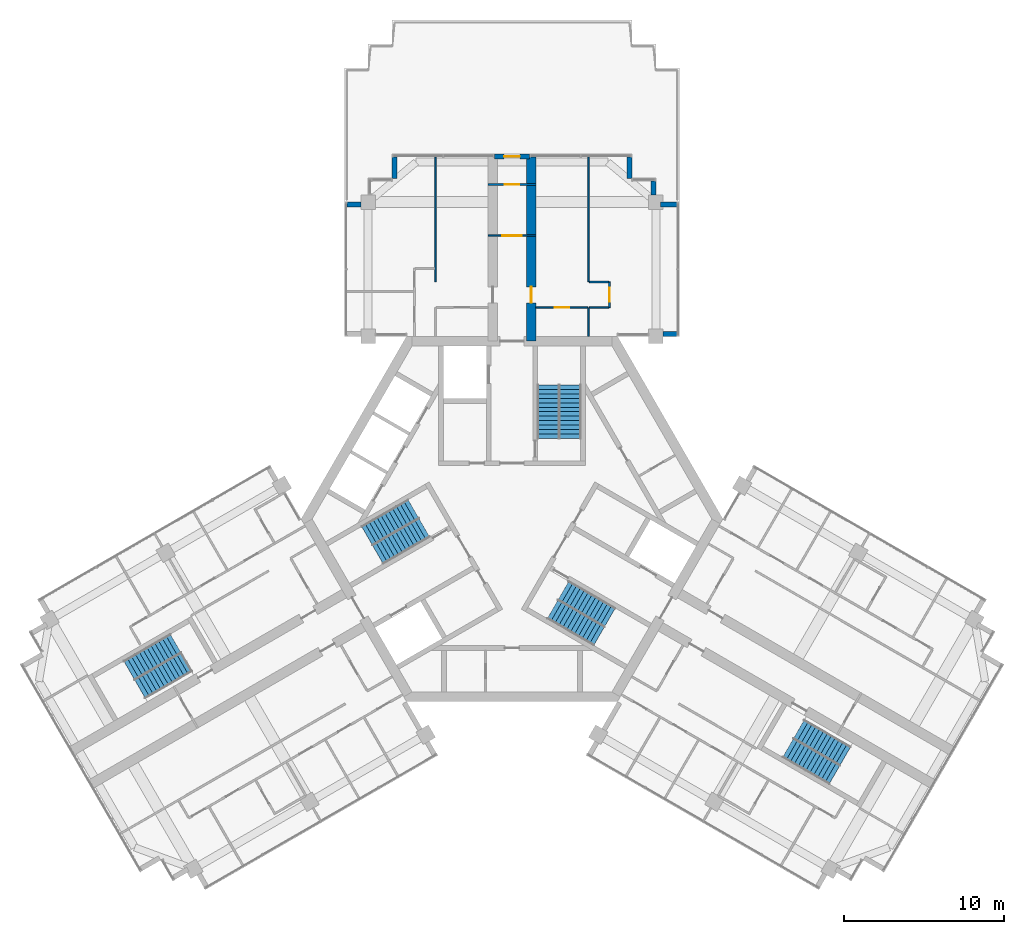
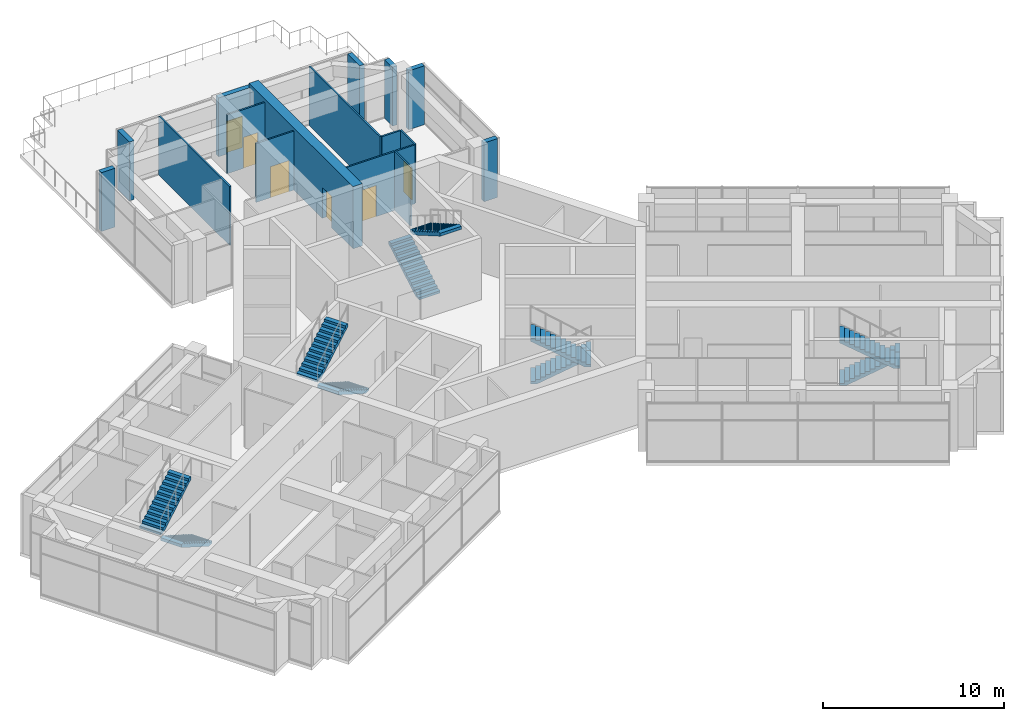
# One storey, part 14 of 15: 17 walls, 10 stair flights, 6 doors, 6 openings, 5 elements without a shape of their own.
"""IFC4 building model written with IfcOpenShell, lengths in metres."""

from ifc_helpers import new_model, si_unit, direction, frame, frame_2d, origin, place, context, subcontext, project, spatial, polyline, rectangle, outline, extrude, material, layer, layer_set, type_object, element, fill, aggregate, save


model = new_model("IFC4")

# Units and contexts
model_context = context("Model", 3, precision=1e-05, world=origin(), true_north=direction((0.0, 1.0)))
body_context = subcontext(model_context, "Body", "Model", "MODEL_VIEW")
ifc_project = project(units=[si_unit("LENGTHUNIT", "METRE"), si_unit("AREAUNIT", "SQUARE_METRE"), si_unit("VOLUMEUNIT", "CUBIC_METRE"), si_unit("PLANEANGLEUNIT", "RADIAN"), si_unit("MASSUNIT", "GRAM", prefix="KILO")], contexts=[model_context])

# Site, building, storey
site_placement = place(None, origin())
site = spatial("IfcSite", under=ifc_project, at=site_placement, CompositionType="ELEMENT")
building_placement = place(site_placement, origin())
building = spatial("IfcBuilding", under=site, at=building_placement, Name="Impinga Residences", CompositionType="ELEMENT")
storey_placement = place(building_placement, frame((0.0, 0.0, 274.75)))
storey = spatial("IfcBuildingStorey", under=building, at=storey_placement, Name="L69", CompositionType="ELEMENT", Elevation=274.75)

# Wall, opening, door
ifc_material_1 = material(Name="Concrete C60/75", Category="concrete")
ifc_layer_1 = layer(ifc_material_1, 0.60009765625)
ifc_layer_set_1 = layer_set([ifc_layer_1], Name="Concrete C60/75")
wall_type_1 = type_object("IfcWallType", Name="BW3 corridor buttress wall, L46 to L73 600", PredefinedType="SHEAR", material=ifc_layer_set_1)
wall_1_placement = place(storey_placement, frame((1.199951171875, 11.131591796875, 0.0), z_axis=(0.0, 0.0, 1.0), x_axis=(0.0, 1.0, 0.0)))
wall_1 = element("IfcWall", 1, at=wall_1_placement, inside=storey, type_object=wall_type_1, Name="Corridor wall BW3 ND L69", PredefinedType="SHEAR", context=body_context, shape_type="SweptSolid", body=[
    extrude(rectangle(XDim=11.517822265625, YDim=0.60009765625, at=frame_2d((5.7587890625, 0.0))), origin(), (0.0, 0.0, 1.0), 4.199951171875),
])
opening_1_placement = place(wall_1_placement, frame((2.39990234375, 0.0, 0.0)))
opening_1 = element("IfcOpeningElement", 2, at=opening_1_placement, cuts=wall_1, Name="Opening D1", PredefinedType="OPENING", context=body_context, shape_type="SweptSolid", body=[
    extrude(rectangle(XDim=1.0, YDim=2.10009765625, at=frame_2d((0.5, 1.050048828125))), frame((0.0, 0.31005859375, 0.0), z_axis=(0.0, -1.0, 0.0), x_axis=(1.0, 0.0, 0.0)), (0.0, 0.0, 1.0), 0.6201171875),
])
ifc_material_2 = material(Name="Timber door set", Category="wood")
door_type_1 = type_object("IfcDoorType", Name="D1 apartment entrance door 1000x2100", OperationType="SINGLE_SWING_LEFT", PredefinedType="DOOR", material=ifc_material_2)
door_1_placement = place(opening_1_placement, origin())
door_1 = element("IfcDoor", 3, at=door_1_placement, inside=storey, type_object=door_type_1, Name="Apartment L69-NF1 entrance", OperationType="SINGLE_SWING_LEFT", OverallHeight=2.10009765625, OverallWidth=1.0, PredefinedType="DOOR", context=body_context, shape_type="SweptSolid", body=[
    extrude(rectangle(XDim=1.0, YDim=2.10009765625, at=frame_2d((0.5, 1.050048828125))), frame((0.0, 0.02490234375, 0.0), z_axis=(0.0, -1.0, 0.0), x_axis=(1.0, 0.0, 0.0)), (0.0, 0.0, 1.0), 0.050048828125),
])
fill(opening_1, door_1)

ifc_material_3 = material(Name="Concrete blockwork", Category="masonry")
ifc_layer_2 = layer(ifc_material_3, 0.10009765625)
ifc_layer_set_2 = layer_set([ifc_layer_2], Name="CP1 core room partition, blockwork 100")
wall_type_2 = type_object("IfcWallType", Name="CP1 core room partition, blockwork 100", PredefinedType="PARTITIONING", material=ifc_layer_set_2)
wall_2_placement = place(storey_placement, frame((-1.5, 17.7314453125, 0.0), z_axis=(0.0, 0.0, 1.0), x_axis=(1.0, 0.0, 0.0)))
wall_2 = element("IfcWall", 4, at=wall_2_placement, inside=storey, type_object=wall_type_2, Name="Core room partition, blockwork L69:N:LNG", PredefinedType="PARTITIONING", context=body_context, shape_type="SweptSolid", body=[
    extrude(rectangle(XDim=3.0, YDim=0.10009765625, at=frame_2d((1.5, 0.0))), origin(), (0.0, 0.0, 1.0), 3.97998046875),
])
opening_2_placement = place(wall_2_placement, frame((0.89990234375, 0.0, 0.0)))
opening_2 = element("IfcOpeningElement", 5, at=opening_2_placement, cuts=wall_2, Name="Opening D3", PredefinedType="OPENING", context=body_context, shape_type="SweptSolid", body=[
    extrude(rectangle(XDim=1.199951171875, YDim=2.10009765625, at=frame_2d((0.60009765625, 1.050048828125))), frame((0.0, 0.06005859375, 0.0), z_axis=(0.0, -1.0, 0.0), x_axis=(1.0, 0.0, 0.0)), (0.0, 0.0, 1.0), 0.1201171875),
])
door_type_2 = type_object("IfcDoorType", Name="D3 room door, leaf and a half 1200x2100", OperationType="DOUBLE_SWING_LEFT", PredefinedType="DOOR", material=ifc_material_2)
door_2_placement = place(opening_2_placement, origin())
door_2 = element("IfcDoor", 6, at=door_2_placement, inside=storey, type_object=door_type_2, Name="Residents' lounge door N", OperationType="DOUBLE_SWING_LEFT", OverallHeight=2.10009765625, OverallWidth=1.199951171875, PredefinedType="DOOR", context=body_context, shape_type="SweptSolid", body=[
    extrude(rectangle(XDim=1.199951171875, YDim=2.10009765625, at=frame_2d((0.60009765625, 1.050048828125))), frame((0.0, 0.02490234375, 0.0), z_axis=(0.0, -1.0, 0.0), x_axis=(1.0, 0.0, 0.0)), (0.0, 0.0, 1.0), 0.050048828125),
])
fill(opening_2, door_2)

wall_3_placement = place(storey_placement, frame((-1.5, 20.931640625, 0.0), z_axis=(0.0, 0.0, 1.0), x_axis=(1.0, 0.0, 0.0)))
wall_3 = element("IfcWall", 7, at=wall_3_placement, inside=storey, type_object=wall_type_2, Name="Core room partition, blockwork L69:N:RFA", PredefinedType="PARTITIONING", context=body_context, shape_type="SweptSolid", body=[
    extrude(rectangle(XDim=3.0, YDim=0.10009765625, at=frame_2d((1.5, 0.0))), origin(), (0.0, 0.0, 1.0), 3.97998046875),
])
opening_3_placement = place(wall_3_placement, frame((1.050048828125, 0.0, 0.0)))
opening_3 = element("IfcOpeningElement", 8, at=opening_3_placement, cuts=wall_3, Name="Opening D6", PredefinedType="OPENING", context=body_context, shape_type="SweptSolid", body=[
    extrude(rectangle(XDim=0.89990234375, YDim=2.10009765625, at=frame_2d((0.449951171875, 1.050048828125))), frame((0.0, 0.06005859375, 0.0), z_axis=(0.0, -1.0, 0.0), x_axis=(1.0, 0.0, 0.0)), (0.0, 0.0, 1.0), 0.1201171875),
])
door_type_3 = type_object("IfcDoorType", Name="D6 riser and store door 900x2100", OperationType="SINGLE_SWING_LEFT", PredefinedType="DOOR", material=ifc_material_2)
door_3_placement = place(opening_3_placement, origin())
door_3 = element("IfcDoor", 9, at=door_3_placement, inside=storey, type_object=door_type_3, Name="Roof access room door N", OperationType="SINGLE_SWING_LEFT", OverallHeight=2.10009765625, OverallWidth=0.89990234375, PredefinedType="DOOR", context=body_context, shape_type="SweptSolid", body=[
    extrude(rectangle(XDim=0.89990234375, YDim=2.10009765625, at=frame_2d((0.449951171875, 1.050048828125))), frame((0.0, 0.02490234375, 0.0), z_axis=(0.0, -1.0, 0.0), x_axis=(1.0, 0.0, 0.0)), (0.0, 0.0, 1.0), 0.050048828125),
])
fill(opening_3, door_3)

# Walls
ifc_material_4 = material(Name="Stone facing on blockwork", Category="masonry")
ifc_layer_3 = layer(ifc_material_4, 0.300048828125)
ifc_layer_set_3 = layer_set([ifc_layer_3], Name="EW2 external wall, stone facing on blockwork 300")
wall_type_3 = type_object("IfcWallType", Name="EW2 external wall, stone facing on blockwork 300", PredefinedType="SOLIDWALL", material=ifc_layer_set_3)
wall_4_placement = place(storey_placement, frame((-10.31494140625, 19.681640625, 0.0), z_axis=(0.0, 0.0, 1.0), x_axis=(1.0, 0.0, 0.0)))
element("IfcWall", 10, at=wall_4_placement, inside=storey, type_object=wall_type_3, Name="External wall EW2 L69", PredefinedType="SOLIDWALL", context=body_context, shape_type="SweptSolid", body=[
    extrude(rectangle(XDim=0.862060546875, YDim=0.300048828125, at=frame_2d((0.43115234375, 0.0))), origin(), (0.0, 0.0, 1.0), 3.97998046875),
])
wall_5_placement = place(storey_placement, frame((-7.35009765625, 21.316650390625, 0.0), z_axis=(0.0, 0.0, 1.0), x_axis=(0.0, 1.0, 0.0)))
element("IfcWall", 11, at=wall_5_placement, inside=storey, type_object=wall_type_3, Name="External wall EW2 L69", PredefinedType="SOLIDWALL", context=body_context, shape_type="SweptSolid", body=[
    extrude(rectangle(XDim=1.329833984375, YDim=0.300048828125, at=frame_2d((0.6650390625, 0.0))), origin(), (0.0, 0.0, 1.0), 3.97998046875),
])

# Wall, opening, door
wall_6_placement = place(storey_placement, frame((-1.10009765625, 22.681640625, 0.0), z_axis=(0.0, 0.0, 1.0), x_axis=(1.0, 0.0, 0.0)))
wall_6 = element("IfcWall", 12, at=wall_6_placement, inside=storey, type_object=wall_type_3, Name="External wall EW2 L69", PredefinedType="SOLIDWALL", context=body_context, shape_type="SweptSolid", body=[
    extrude(rectangle(XDim=2.2001953125, YDim=0.300048828125, at=frame_2d((1.10009765625, 0.0))), origin(), (0.0, 0.0, 1.0), 3.97998046875),
])
opening_4_placement = place(wall_6_placement, frame((0.60009765625, 0.0, 0.0)))
opening_4 = element("IfcOpeningElement", 13, at=opening_4_placement, cuts=wall_6, Name="Opening RD1", PredefinedType="OPENING", context=body_context, shape_type="SweptSolid", body=[
    extrude(rectangle(XDim=1.0, YDim=2.10009765625, at=frame_2d((0.5, 1.050048828125))), frame((0.0, 0.159912109375, 0.0), z_axis=(0.0, -1.0, 0.0), x_axis=(1.0, 0.0, 0.0)), (0.0, 0.0, 1.0), 0.320068359375),
])
ifc_material_5 = material(Name="Steel door, painted", Category="steel")
door_type_4 = type_object("IfcDoorType", Name="RD1 maintenance roof access door 1000x2100", OperationType="SINGLE_SWING_LEFT", PredefinedType="DOOR", material=ifc_material_5)
door_4_placement = place(opening_4_placement, origin())
door_4 = element("IfcDoor", 14, at=door_4_placement, inside=storey, type_object=door_type_4, Name="Maintenance roof access door L69", OperationType="SINGLE_SWING_LEFT", OverallHeight=2.10009765625, OverallWidth=1.0, PredefinedType="DOOR", context=body_context, shape_type="SweptSolid", body=[
    extrude(rectangle(XDim=1.0, YDim=2.10009765625, at=frame_2d((0.5, 1.050048828125))), frame((0.0, 0.02490234375, 0.0), z_axis=(0.0, -1.0, 0.0), x_axis=(1.0, 0.0, 0.0)), (0.0, 0.0, 1.0), 0.050048828125),
])
fill(opening_4, door_4)

# Walls
wall_7_placement = place(storey_placement, frame((7.35009765625, 22.646484375, 0.0), z_axis=(0.0, 0.0, 1.0), x_axis=(0.0, -1.0, 0.0)))
element("IfcWall", 15, at=wall_7_placement, inside=storey, type_object=wall_type_3, Name="External wall EW2 L69", PredefinedType="SOLIDWALL", context=body_context, shape_type="SweptSolid", body=[
    extrude(rectangle(XDim=1.329833984375, YDim=0.300048828125, at=frame_2d((0.6650390625, 0.0))), origin(), (0.0, 0.0, 1.0), 3.97998046875),
])
wall_8_placement = place(storey_placement, frame((8.85009765625, 21.146484375, 0.0), z_axis=(0.0, 0.0, 1.0), x_axis=(0.0, -1.0, 0.0)))
element("IfcWall", 16, at=wall_8_placement, inside=storey, type_object=wall_type_3, Name="External wall EW2 L69", PredefinedType="SOLIDWALL", context=body_context, shape_type="SweptSolid", body=[
    extrude(rectangle(XDim=0.862060546875, YDim=0.300048828125, at=frame_2d((0.43115234375, 0.0))), origin(), (0.0, 0.0, 1.0), 3.97998046875),
])
wall_9_placement = place(storey_placement, frame((9.300048828125, 19.681640625, 0.0), z_axis=(0.0, 0.0, 1.0), x_axis=(1.0, 0.0, 0.0)))
element("IfcWall", 17, at=wall_9_placement, inside=storey, type_object=wall_type_3, Name="External wall EW2 L69", PredefinedType="SOLIDWALL", context=body_context, shape_type="SweptSolid", body=[
    extrude(rectangle(XDim=1.014892578125, YDim=0.300048828125, at=frame_2d((0.50732421875, 0.0))), origin(), (0.0, 0.0, 1.0), 3.97998046875),
])
wall_10_placement = place(storey_placement, frame((10.31494140625, 11.58154296875, 0.0), z_axis=(0.0, 0.0, 1.0), x_axis=(-1.0, 0.0, 0.0)))
element("IfcWall", 18, at=wall_10_placement, inside=storey, type_object=wall_type_3, Name="External wall EW2 L69", PredefinedType="SOLIDWALL", context=body_context, shape_type="SweptSolid", body=[
    extrude(rectangle(XDim=0.862060546875, YDim=0.300048828125, at=frame_2d((0.43115234375, 0.0))), origin(), (0.0, 0.0, 1.0), 3.97998046875),
])
ifc_material_6 = material(Name="Gypsum board on steel studs", Category="steel")
ifc_layer_4 = layer(ifc_material_6, 0.10009765625)
ifc_layer_set_4 = layer_set([ifc_layer_4], Name="Gypsum board on steel studs")
wall_type_4 = type_object("IfcWallType", Name="IP1 partition 100", PredefinedType="PARTITIONING", material=ifc_layer_set_4)
wall_11_placement = place(storey_placement, frame((-4.800048828125, 14.83154296875, 0.0), z_axis=(0.0, 0.0, 1.0), x_axis=(0.0, 1.0, 0.0)))
element("IfcWall", 19, at=wall_11_placement, inside=storey, type_object=wall_type_4, Name="Partition L69-NA1:DIV1", PredefinedType="PARTITIONING", context=body_context, shape_type="SweptSolid", body=[
    extrude(rectangle(XDim=7.8369140625, YDim=0.10009765625, at=frame_2d((3.91845703125, 0.0))), origin(), (0.0, 0.0, 1.0), 3.97998046875),
])
wall_12_placement = place(storey_placement, frame((4.800048828125, 11.431640625, 0.0), z_axis=(0.0, 0.0, 1.0), x_axis=(0.0, 1.0, 0.0)))
element("IfcWall", 20, at=wall_12_placement, inside=storey, type_object=wall_type_4, Name="Partition L69-NF1:DIV0", PredefinedType="PARTITIONING", context=body_context, shape_type="SweptSolid", body=[
    extrude(rectangle(XDim=1.7998046875, YDim=0.10009765625, at=frame_2d((0.89990234375, 0.0))), origin(), (0.0, 0.0, 1.0), 3.97998046875),
])
wall_13_placement = place(storey_placement, frame((4.800048828125, 14.83154296875, 0.0), z_axis=(0.0, 0.0, 1.0), x_axis=(0.0, 1.0, 0.0)))
element("IfcWall", 21, at=wall_13_placement, inside=storey, type_object=wall_type_4, Name="Partition L69-NF1:DIV1", PredefinedType="PARTITIONING", context=body_context, shape_type="SweptSolid", body=[
    extrude(rectangle(XDim=7.8369140625, YDim=0.10009765625, at=frame_2d((3.91845703125, 0.0))), origin(), (0.0, 0.0, 1.0), 3.97998046875),
])

# Wall, opening, door
wall_14_placement = place(storey_placement, frame((6.10009765625, 13.2314453125, 0.0), z_axis=(0.0, 0.0, 1.0), x_axis=(0.0, 1.0, 0.0)))
wall_14 = element("IfcWall", 22, at=wall_14_placement, inside=storey, type_object=wall_type_4, Name="Partition L69-NF1:STRIP", PredefinedType="PARTITIONING", context=body_context, shape_type="SweptSolid", body=[
    extrude(rectangle(XDim=1.60009765625, YDim=0.10009765625, at=frame_2d((0.800048828125, 0.0))), origin(), (0.0, 0.0, 1.0), 3.97998046875),
])
opening_5_placement = place(wall_14_placement, frame((0.35009765625, 0.0, 0.0)))
opening_5 = element("IfcOpeningElement", 23, at=opening_5_placement, cuts=wall_14, Name="Opening D2", PredefinedType="OPENING", context=body_context, shape_type="SweptSolid", body=[
    extrude(rectangle(XDim=0.89990234375, YDim=2.10009765625, at=frame_2d((0.449951171875, 1.050048828125))), frame((0.0, 0.06005859375, 0.0), z_axis=(0.0, -1.0, 0.0), x_axis=(1.0, 0.0, 0.0)), (0.0, 0.0, 1.0), 0.1201171875),
])
door_type_5 = type_object("IfcDoorType", Name="D2 internal door 900x2100", OperationType="SINGLE_SWING_LEFT", PredefinedType="DOOR", material=ifc_material_2)
door_5_placement = place(opening_5_placement, origin())
door_5 = element("IfcDoor", 24, at=door_5_placement, inside=storey, type_object=door_type_5, Name="Apartment L69-NF1 room door", OperationType="SINGLE_SWING_LEFT", OverallHeight=2.10009765625, OverallWidth=0.89990234375, PredefinedType="DOOR", context=body_context, shape_type="SweptSolid", body=[
    extrude(rectangle(XDim=0.89990234375, YDim=2.10009765625, at=frame_2d((0.449951171875, 1.050048828125))), frame((0.0, 0.02490234375, 0.0), z_axis=(0.0, -1.0, 0.0), x_axis=(1.0, 0.0, 0.0)), (0.0, 0.0, 1.0), 0.050048828125),
])
fill(opening_5, door_5)

# Walls
for number, where, z_axis, x_axis, name in (
    (25, (4.85009765625, 13.2314453125, 0.0), (0.0, 0.0, 1.0), (1.0, 0.0, 0.0), "Partition L69-NF1:SE0"),
    (26, (4.85009765625, 14.83154296875, 0.0), (0.0, 0.0, 1.0), (1.0, 0.0, 0.0), "Partition L69-NF1:SE1"),
):
    element("IfcWall", number, at=place(storey_placement, frame(where, z_axis=z_axis, x_axis=x_axis)), inside=storey, type_object=wall_type_4, Name=name, PredefinedType="PARTITIONING", context=body_context, shape_type="SweptSolid", body=[
        extrude(rectangle(XDim=1.199951171875, YDim=0.10009765625, at=frame_2d((0.60009765625, 0.0))), origin(), (0.0, 0.0, 1.0), 3.97998046875),
    ])

# Wall, opening, door
wall_15_placement = place(storey_placement, frame((1.5, 13.2314453125, 0.0), z_axis=(0.0, 0.0, 1.0), x_axis=(1.0, 0.0, 0.0)))
wall_15 = element("IfcWall", 27, at=wall_15_placement, inside=storey, type_object=wall_type_4, Name="Partition L69-NF1:IB1", PredefinedType="PARTITIONING", context=body_context, shape_type="SweptSolid", body=[
    extrude(rectangle(XDim=3.25, YDim=0.10009765625, at=frame_2d((1.625, 0.0))), origin(), (0.0, 0.0, 1.0), 3.97998046875),
])
opening_6_placement = place(wall_15_placement, frame((1.175048828125, 0.0, 0.0)))
opening_6 = element("IfcOpeningElement", 28, at=opening_6_placement, cuts=wall_15, Name="Opening D2", PredefinedType="OPENING", context=body_context, shape_type="SweptSolid", body=[
    extrude(rectangle(XDim=0.89990234375, YDim=2.10009765625, at=frame_2d((0.449951171875, 1.050048828125))), frame((0.0, 0.06005859375, 0.0), z_axis=(0.0, -1.0, 0.0), x_axis=(1.0, 0.0, 0.0)), (0.0, 0.0, 1.0), 0.1201171875),
])
door_6_placement = place(opening_6_placement, origin())
door_6 = element("IfcDoor", 29, at=door_6_placement, inside=storey, type_object=door_type_5, Name="Apartment L69-NF1 bathroom door", OperationType="SINGLE_SWING_LEFT", OverallHeight=2.10009765625, OverallWidth=0.89990234375, PredefinedType="DOOR", context=body_context, shape_type="SweptSolid", body=[
    extrude(rectangle(XDim=0.89990234375, YDim=2.10009765625, at=frame_2d((0.449951171875, 1.050048828125))), frame((0.0, 0.02490234375, 0.0), z_axis=(0.0, -1.0, 0.0), x_axis=(1.0, 0.0, 0.0)), (0.0, 0.0, 1.0), 0.050048828125),
])
fill(opening_6, door_6)

# Stair, stair flights
ifc_material_7 = material(Name="Concrete C40/50", Category="concrete")
stair_type_1 = type_object("IfcStairType", Name="STR core stair 4200 storey, 26 risers", PredefinedType="HALF_TURN_STAIR", material=ifc_material_7)
stair_1_placement = place(storey_placement, origin())
stair_1 = element("IfcStair", 30, at=stair_1_placement, inside=storey, type_object=stair_type_1, Name="Stair ST1 L69", PredefinedType="HALF_TURN_STAIR")
stair_flight_type = type_object("IfcStairFlightType", Name="SF 13 risers of 162", PredefinedType="STRAIGHT", material=ifc_material_7)
stair_flight_1_placement = place(storey_placement, frame((2.27490234375, 5.030029296875, 0.0), z_axis=(0.0, 0.0, 1.0), x_axis=(0.0, 1.0, 0.0)))
stair_flight_1 = element("IfcStairFlight", 31, at=stair_flight_1_placement, type_object=stair_flight_type, Name="ST1 flight 1", NumberOfRisers=13, NumberOfTreads=12, PredefinedType="STRAIGHT", RiserHeight=0.161538462, TreadLength=0.28, context=body_context, shape_type="SweptSolid", body=[
    extrude(outline(polyline([(0.0, 0.0), (0.0, 0.16162109375), (0.280029296875, 0.16162109375), (0.280029296875, 0.322998046875), (0.56005859375, 0.322998046875), (0.56005859375, 0.484619140625), (0.840087890625, 0.484619140625), (0.840087890625, 0.646240234375), (1.1201171875, 0.646240234375), (1.1201171875, 0.8076171875), (1.39990234375, 0.8076171875), (1.39990234375, 0.96923828125), (1.679931640625, 0.96923828125), (1.679931640625, 1.130859375), (1.9599609375, 1.130859375), (1.9599609375, 1.292236328125), (2.239990234375, 1.292236328125), (2.239990234375, 1.453857421875), (2.52001953125, 1.453857421875), (2.52001953125, 1.615478515625), (2.800048828125, 1.615478515625), (2.800048828125, 1.77685546875), (3.080078125, 1.77685546875), (3.080078125, 1.9384765625), (3.360107421875, 1.9384765625), (3.360107421875, 2.10009765625), (3.360107421875, 1.730712890625), (0.360107421875, 0.0), (0.0, 0.0)])), frame((0.0, 0.675048828125, 0.0), z_axis=(0.0, -1.0, 0.0), x_axis=(1.0, 0.0, 0.0)), (0.0, 0.0, 1.0), 1.35009765625),
])
stair_flight_2_placement = place(storey_placement, frame((3.625, 8.389892578125, 2.10009765625), z_axis=(0.0, 0.0, 1.0), x_axis=(0.0, -1.0, 0.0)))
stair_flight_2 = element("IfcStairFlight", 32, at=stair_flight_2_placement, type_object=stair_flight_type, Name="ST1 flight 2", NumberOfRisers=13, NumberOfTreads=12, PredefinedType="STRAIGHT", RiserHeight=0.161538462, TreadLength=0.28, context=body_context, shape_type="SweptSolid", body=[
    extrude(outline(polyline([(0.0, 0.0), (0.0, 0.16162109375), (0.280029296875, 0.16162109375), (0.280029296875, 0.322998046875), (0.56005859375, 0.322998046875), (0.56005859375, 0.484619140625), (0.840087890625, 0.484619140625), (0.840087890625, 0.646240234375), (1.1201171875, 0.646240234375), (1.1201171875, 0.8076171875), (1.39990234375, 0.8076171875), (1.39990234375, 0.96923828125), (1.679931640625, 0.96923828125), (1.679931640625, 1.130859375), (1.9599609375, 1.130859375), (1.9599609375, 1.292236328125), (2.239990234375, 1.292236328125), (2.239990234375, 1.453857421875), (2.52001953125, 1.453857421875), (2.52001953125, 1.615478515625), (2.800048828125, 1.615478515625), (2.800048828125, 1.77685546875), (3.080078125, 1.77685546875), (3.080078125, 1.9384765625), (3.360107421875, 1.9384765625), (3.360107421875, 2.10009765625), (3.360107421875, 1.730712890625), (0.360107421875, 0.0), (0.0, 0.0)])), frame((0.0, 0.675048828125, 0.0), z_axis=(0.0, -1.0, 0.0), x_axis=(1.0, 0.0, 0.0)), (0.0, 0.0, 1.0), 1.35009765625),
])
aggregate(stair_1, [stair_flight_1, stair_flight_2])

stair_2_placement = place(storey_placement, origin())
stair_2 = element("IfcStair", 33, at=stair_2_placement, inside=storey, type_object=stair_type_1, Name="Stair ST2 L69", PredefinedType="HALF_TURN_STAIR")
stair_flight_3_placement = place(storey_placement, frame((-5.49365234375, -0.544677734375, 0.0), z_axis=(0.0, 0.0, 1.0), x_axis=(-0.866025403784, -0.5, 0.0)))
stair_flight_3 = element("IfcStairFlight", 34, at=stair_flight_3_placement, type_object=stair_flight_type, Name="ST2 flight 1", NumberOfRisers=13, NumberOfTreads=12, PredefinedType="STRAIGHT", RiserHeight=0.161538462, TreadLength=0.28, context=body_context, shape_type="SweptSolid", body=[
    extrude(outline(polyline([(0.0, 0.0), (0.0, 0.16162109375), (0.280029296875, 0.16162109375), (0.280029296875, 0.322998046875), (0.56005859375, 0.322998046875), (0.56005859375, 0.484619140625), (0.840087890625, 0.484619140625), (0.840087890625, 0.646240234375), (1.1201171875, 0.646240234375), (1.1201171875, 0.8076171875), (1.39990234375, 0.8076171875), (1.39990234375, 0.96923828125), (1.679931640625, 0.96923828125), (1.679931640625, 1.130859375), (1.9599609375, 1.130859375), (1.9599609375, 1.292236328125), (2.239990234375, 1.292236328125), (2.239990234375, 1.453857421875), (2.52001953125, 1.453857421875), (2.52001953125, 1.615478515625), (2.800048828125, 1.615478515625), (2.800048828125, 1.77685546875), (3.080078125, 1.77685546875), (3.080078125, 1.9384765625), (3.360107421875, 1.9384765625), (3.360107421875, 2.10009765625), (3.360107421875, 1.730712890625), (0.360107421875, 0.0), (0.0, 0.0)])), frame((0.0, 0.675048828125, 0.0), z_axis=(0.0, -1.0, 0.0), x_axis=(1.0, 0.0, 0.0)), (0.0, 0.0, 1.0), 1.35009765625),
])
stair_flight_4_placement = place(storey_placement, frame((-9.078369140625, -1.0556640625, 2.10009765625), z_axis=(0.0, 0.0, 1.0), x_axis=(0.866025403784, 0.5, 0.0)))
stair_flight_4 = element("IfcStairFlight", 35, at=stair_flight_4_placement, type_object=stair_flight_type, Name="ST2 flight 2", NumberOfRisers=13, NumberOfTreads=12, PredefinedType="STRAIGHT", RiserHeight=0.161538462, TreadLength=0.28, context=body_context, shape_type="SweptSolid", body=[
    extrude(outline(polyline([(0.0, 0.0), (0.0, 0.16162109375), (0.280029296875, 0.16162109375), (0.280029296875, 0.322998046875), (0.56005859375, 0.322998046875), (0.56005859375, 0.484619140625), (0.840087890625, 0.484619140625), (0.840087890625, 0.646240234375), (1.1201171875, 0.646240234375), (1.1201171875, 0.8076171875), (1.39990234375, 0.8076171875), (1.39990234375, 0.96923828125), (1.679931640625, 0.96923828125), (1.679931640625, 1.130859375), (1.9599609375, 1.130859375), (1.9599609375, 1.292236328125), (2.239990234375, 1.292236328125), (2.239990234375, 1.453857421875), (2.52001953125, 1.453857421875), (2.52001953125, 1.615478515625), (2.800048828125, 1.615478515625), (2.800048828125, 1.77685546875), (3.080078125, 1.77685546875), (3.080078125, 1.9384765625), (3.360107421875, 1.9384765625), (3.360107421875, 2.10009765625), (3.360107421875, 1.730712890625), (0.360107421875, 0.0), (0.0, 0.0)])), frame((0.0, 0.675048828125, 0.0), z_axis=(0.0, -1.0, 0.0), x_axis=(1.0, 0.0, 0.0)), (0.0, 0.0, 1.0), 1.35009765625),
])
aggregate(stair_2, [stair_flight_3, stair_flight_4])

stair_3_placement = place(storey_placement, origin())
stair_3 = element("IfcStair", 36, at=stair_3_placement, inside=storey, type_object=stair_type_1, Name="Stair ST3 L69", PredefinedType="HALF_TURN_STAIR")
stair_flight_5_placement = place(storey_placement, frame((3.218505859375, -4.485107421875, 0.0), z_axis=(0.0, 0.0, 1.0), x_axis=(0.866025403784, -0.5, 0.0)))
stair_flight_5 = element("IfcStairFlight", 37, at=stair_flight_5_placement, type_object=stair_flight_type, Name="ST3 flight 1", NumberOfRisers=13, NumberOfTreads=12, PredefinedType="STRAIGHT", RiserHeight=0.161538462, TreadLength=0.28, context=body_context, shape_type="SweptSolid", body=[
    extrude(outline(polyline([(0.0, 0.0), (0.0, 0.16162109375), (0.280029296875, 0.16162109375), (0.280029296875, 0.322998046875), (0.56005859375, 0.322998046875), (0.56005859375, 0.484619140625), (0.840087890625, 0.484619140625), (0.840087890625, 0.646240234375), (1.1201171875, 0.646240234375), (1.1201171875, 0.8076171875), (1.39990234375, 0.8076171875), (1.39990234375, 0.96923828125), (1.679931640625, 0.96923828125), (1.679931640625, 1.130859375), (1.9599609375, 1.130859375), (1.9599609375, 1.292236328125), (2.239990234375, 1.292236328125), (2.239990234375, 1.453857421875), (2.52001953125, 1.453857421875), (2.52001953125, 1.615478515625), (2.800048828125, 1.615478515625), (2.800048828125, 1.77685546875), (3.080078125, 1.77685546875), (3.080078125, 1.9384765625), (3.360107421875, 1.9384765625), (3.360107421875, 2.10009765625), (3.360107421875, 1.730712890625), (0.360107421875, 0.0), (0.0, 0.0)])), frame((0.0, 0.675048828125, 0.0), z_axis=(0.0, -1.0, 0.0), x_axis=(1.0, 0.0, 0.0)), (0.0, 0.0, 1.0), 1.35009765625),
])
stair_flight_6_placement = place(storey_placement, frame((5.453369140625, -7.334228515625, 2.10009765625), z_axis=(0.0, 0.0, 1.0), x_axis=(-0.866025403784, 0.5, 0.0)))
stair_flight_6 = element("IfcStairFlight", 38, at=stair_flight_6_placement, type_object=stair_flight_type, Name="ST3 flight 2", NumberOfRisers=13, NumberOfTreads=12, PredefinedType="STRAIGHT", RiserHeight=0.161538462, TreadLength=0.28, context=body_context, shape_type="SweptSolid", body=[
    extrude(outline(polyline([(0.0, 0.0), (0.0, 0.16162109375), (0.280029296875, 0.16162109375), (0.280029296875, 0.322998046875), (0.56005859375, 0.322998046875), (0.56005859375, 0.484619140625), (0.840087890625, 0.484619140625), (0.840087890625, 0.646240234375), (1.1201171875, 0.646240234375), (1.1201171875, 0.8076171875), (1.39990234375, 0.8076171875), (1.39990234375, 0.96923828125), (1.679931640625, 0.96923828125), (1.679931640625, 1.130859375), (1.9599609375, 1.130859375), (1.9599609375, 1.292236328125), (2.239990234375, 1.292236328125), (2.239990234375, 1.453857421875), (2.52001953125, 1.453857421875), (2.52001953125, 1.615478515625), (2.800048828125, 1.615478515625), (2.800048828125, 1.77685546875), (3.080078125, 1.77685546875), (3.080078125, 1.9384765625), (3.360107421875, 1.9384765625), (3.360107421875, 2.10009765625), (3.360107421875, 1.730712890625), (0.360107421875, 0.0), (0.0, 0.0)])), frame((0.0, 0.675048828125, 0.0), z_axis=(0.0, -1.0, 0.0), x_axis=(1.0, 0.0, 0.0)), (0.0, 0.0, 1.0), 1.35009765625),
])
aggregate(stair_3, [stair_flight_5, stair_flight_6])

stair_type_2 = type_object("IfcStairType", Name="STR wing stair 4200 storey, 26 risers", PredefinedType="HALF_TURN_STAIR", material=ifc_material_7)
stair_4_placement = place(storey_placement, origin())
stair_4 = element("IfcStair", 39, at=stair_4_placement, inside=storey, type_object=stair_type_2, Name="Stair WS2 L69", PredefinedType="HALF_TURN_STAIR")
stair_flight_7_placement = place(storey_placement, frame((-20.37890625, -8.965576171875, 0.0), z_axis=(0.0, 0.0, 1.0), x_axis=(-0.866025403784, -0.5, 0.0)))
stair_flight_7 = element("IfcStairFlight", 40, at=stair_flight_7_placement, type_object=stair_flight_type, Name="WS2 flight 1", NumberOfRisers=13, NumberOfTreads=12, PredefinedType="STRAIGHT", RiserHeight=0.161538462, TreadLength=0.28, context=body_context, shape_type="SweptSolid", body=[
    extrude(outline(polyline([(0.0, 0.0), (0.0, 0.16162109375), (0.280029296875, 0.16162109375), (0.280029296875, 0.322998046875), (0.56005859375, 0.322998046875), (0.56005859375, 0.484619140625), (0.840087890625, 0.484619140625), (0.840087890625, 0.646240234375), (1.1201171875, 0.646240234375), (1.1201171875, 0.8076171875), (1.39990234375, 0.8076171875), (1.39990234375, 0.96923828125), (1.679931640625, 0.96923828125), (1.679931640625, 1.130859375), (1.9599609375, 1.130859375), (1.9599609375, 1.292236328125), (2.239990234375, 1.292236328125), (2.239990234375, 1.453857421875), (2.52001953125, 1.453857421875), (2.52001953125, 1.615478515625), (2.800048828125, 1.615478515625), (2.800048828125, 1.77685546875), (3.080078125, 1.77685546875), (3.080078125, 1.9384765625), (3.360107421875, 1.9384765625), (3.360107421875, 2.10009765625), (3.360107421875, 1.730712890625), (0.360107421875, 0.0), (0.0, 0.0)])), frame((0.0, 0.675048828125, 0.0), z_axis=(0.0, -1.0, 0.0), x_axis=(1.0, 0.0, 0.0)), (0.0, 0.0, 1.0), 1.35009765625),
])
stair_flight_8_placement = place(storey_placement, frame((-23.9638671875, -9.4765625, 2.10009765625), z_axis=(0.0, 0.0, 1.0), x_axis=(0.866025403784, 0.5, 0.0)))
stair_flight_8 = element("IfcStairFlight", 41, at=stair_flight_8_placement, type_object=stair_flight_type, Name="WS2 flight 2", NumberOfRisers=13, NumberOfTreads=12, PredefinedType="STRAIGHT", RiserHeight=0.161538462, TreadLength=0.28, context=body_context, shape_type="SweptSolid", body=[
    extrude(outline(polyline([(0.0, 0.0), (0.0, 0.16162109375), (0.280029296875, 0.16162109375), (0.280029296875, 0.322998046875), (0.56005859375, 0.322998046875), (0.56005859375, 0.484619140625), (0.840087890625, 0.484619140625), (0.840087890625, 0.646240234375), (1.1201171875, 0.646240234375), (1.1201171875, 0.8076171875), (1.39990234375, 0.8076171875), (1.39990234375, 0.96923828125), (1.679931640625, 0.96923828125), (1.679931640625, 1.130859375), (1.9599609375, 1.130859375), (1.9599609375, 1.292236328125), (2.239990234375, 1.292236328125), (2.239990234375, 1.453857421875), (2.52001953125, 1.453857421875), (2.52001953125, 1.615478515625), (2.800048828125, 1.615478515625), (2.800048828125, 1.77685546875), (3.080078125, 1.77685546875), (3.080078125, 1.9384765625), (3.360107421875, 1.9384765625), (3.360107421875, 2.10009765625), (3.360107421875, 1.730712890625), (0.360107421875, 0.0), (0.0, 0.0)])), frame((0.0, 0.675048828125, 0.0), z_axis=(0.0, -1.0, 0.0), x_axis=(1.0, 0.0, 0.0)), (0.0, 0.0, 1.0), 1.35009765625),
])
aggregate(stair_4, [stair_flight_7, stair_flight_8])

stair_5_placement = place(storey_placement, origin())
stair_5 = element("IfcStair", 42, at=stair_5_placement, inside=storey, type_object=stair_type_2, Name="Stair WS3 L69", PredefinedType="HALF_TURN_STAIR")
stair_flight_9_placement = place(storey_placement, frame((17.953857421875, -13.165771484375, 0.0), z_axis=(0.0, 0.0, 1.0), x_axis=(0.866025403784, -0.5, 0.0)))
stair_flight_9 = element("IfcStairFlight", 43, at=stair_flight_9_placement, type_object=stair_flight_type, Name="WS3 flight 1", NumberOfRisers=13, NumberOfTreads=12, PredefinedType="STRAIGHT", RiserHeight=0.161538462, TreadLength=0.28, context=body_context, shape_type="SweptSolid", body=[
    extrude(outline(polyline([(0.0, 0.0), (0.0, 0.16162109375), (0.280029296875, 0.16162109375), (0.280029296875, 0.322998046875), (0.56005859375, 0.322998046875), (0.56005859375, 0.484619140625), (0.840087890625, 0.484619140625), (0.840087890625, 0.646240234375), (1.1201171875, 0.646240234375), (1.1201171875, 0.8076171875), (1.39990234375, 0.8076171875), (1.39990234375, 0.96923828125), (1.679931640625, 0.96923828125), (1.679931640625, 1.130859375), (1.9599609375, 1.130859375), (1.9599609375, 1.292236328125), (2.239990234375, 1.292236328125), (2.239990234375, 1.453857421875), (2.52001953125, 1.453857421875), (2.52001953125, 1.615478515625), (2.800048828125, 1.615478515625), (2.800048828125, 1.77685546875), (3.080078125, 1.77685546875), (3.080078125, 1.9384765625), (3.360107421875, 1.9384765625), (3.360107421875, 2.10009765625), (3.360107421875, 1.730712890625), (0.360107421875, 0.0), (0.0, 0.0)])), frame((0.0, 0.675048828125, 0.0), z_axis=(0.0, -1.0, 0.0), x_axis=(1.0, 0.0, 0.0)), (0.0, 0.0, 1.0), 1.35009765625),
])
stair_flight_10_placement = place(storey_placement, frame((20.188720703125, -16.014892578125, 2.10009765625), z_axis=(0.0, 0.0, 1.0), x_axis=(-0.866025403784, 0.5, 0.0)))
stair_flight_10 = element("IfcStairFlight", 44, at=stair_flight_10_placement, type_object=stair_flight_type, Name="WS3 flight 2", NumberOfRisers=13, NumberOfTreads=12, PredefinedType="STRAIGHT", RiserHeight=0.161538462, TreadLength=0.28, context=body_context, shape_type="SweptSolid", body=[
    extrude(outline(polyline([(0.0, 0.0), (0.0, 0.16162109375), (0.280029296875, 0.16162109375), (0.280029296875, 0.322998046875), (0.56005859375, 0.322998046875), (0.56005859375, 0.484619140625), (0.840087890625, 0.484619140625), (0.840087890625, 0.646240234375), (1.1201171875, 0.646240234375), (1.1201171875, 0.8076171875), (1.39990234375, 0.8076171875), (1.39990234375, 0.96923828125), (1.679931640625, 0.96923828125), (1.679931640625, 1.130859375), (1.9599609375, 1.130859375), (1.9599609375, 1.292236328125), (2.239990234375, 1.292236328125), (2.239990234375, 1.453857421875), (2.52001953125, 1.453857421875), (2.52001953125, 1.615478515625), (2.800048828125, 1.615478515625), (2.800048828125, 1.77685546875), (3.080078125, 1.77685546875), (3.080078125, 1.9384765625), (3.360107421875, 1.9384765625), (3.360107421875, 2.10009765625), (3.360107421875, 1.730712890625), (0.360107421875, 0.0), (0.0, 0.0)])), frame((0.0, 0.675048828125, 0.0), z_axis=(0.0, -1.0, 0.0), x_axis=(1.0, 0.0, 0.0)), (0.0, 0.0, 1.0), 1.35009765625),
])
aggregate(stair_5, [stair_flight_9, stair_flight_10])

save(model, "model.ifc")
